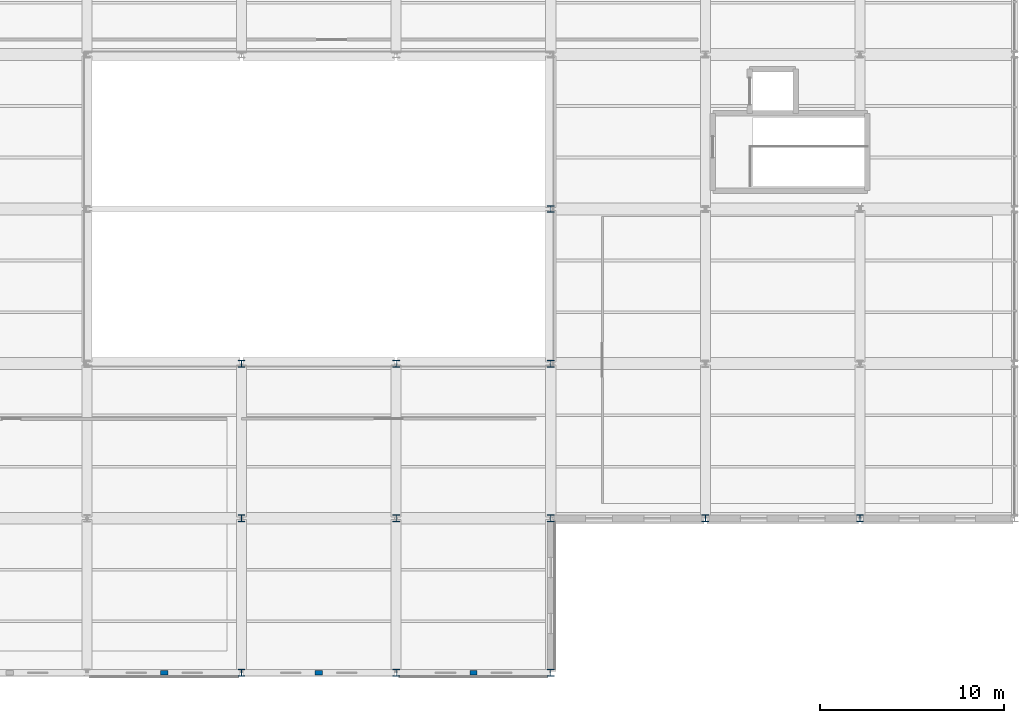
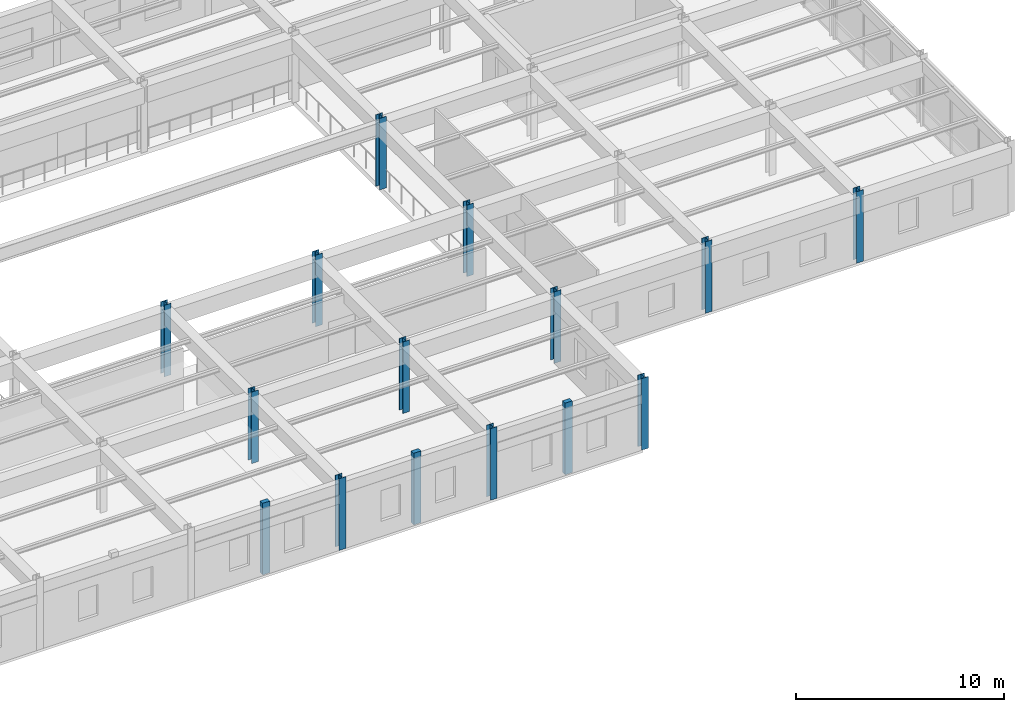
# One storey, part 6 of 138: 15 columns.
"""IFC4 building model written with IfcOpenShell, lengths in metres."""

import ifcopenshell
import ifcopenshell.guid

model = None  # the IFC model being written
_history = None  # IfcOwnerHistory: only IFC2X3 demands one
_inside = {}  # id of a spatial element -> (the spatial element, [elements in it])
_under = {}  # id of a project, library or spatial element -> (it, [spatial elements below it])
_declared = {}  # id of a project -> (the project, [libraries it declares])
_typed = {}  # id of a type object -> (the type object, [elements of that type])
_made_of = {}  # id of a material, layer set ... -> (it, [elements and type objects made of it])


def new_model(schema):
    """Start an empty IFC model of exactly this schema.

    Asked for "IFC4X3", IfcOpenShell would pick the latest addendum, in which some entities
    have other attributes; the version numbers below select the first issue.
    IFC2X3 requires an IfcOwnerHistory on every rooted entity: one is made here for all.
    """
    global model, _history
    if schema == "IFC4X3":
        model = ifcopenshell.file(schema_version=(4, 3, 0, 0))
    else:
        model = ifcopenshell.file(schema=schema)
    _inside.clear()
    _under.clear()
    _declared.clear()
    _typed.clear()
    _made_of.clear()
    _history = None
    if model.schema == "IFC2X3":
        org = make("IfcOrganization", Name="unknown")
        user = make(
            "IfcPersonAndOrganization",
            ThePerson=make("IfcPerson", FamilyName="unknown"),
            TheOrganization=org,
        )
        app = make(
            "IfcApplication",
            ApplicationDeveloper=org,
            Version="unknown",
            ApplicationFullName="unknown",
            ApplicationIdentifier="unknown",
        )
        _history = make(
            "IfcOwnerHistory",
            OwningUser=user,
            OwningApplication=app,
            ChangeAction="ADDED",
            CreationDate=0,
        )
    return model


def make(cls, **values):
    """One entity of the class cls with the attributes given. An attribute that is None is left unset."""
    return model.create_entity(
        cls, **{name: value for name, value in values.items() if value is not None}
    )


def rooted(cls, **values):
    """An entity with a GlobalId (a new one), such as an element, a storey or a relation."""
    return make(cls, GlobalId=ifcopenshell.guid.new(), OwnerHistory=_history, **values)


def si_unit(unit_type, name, prefix=None):
    """IfcSIUnit, for example si_unit("LENGTHUNIT", "METRE", prefix="MILLI")."""
    return make("IfcSIUnit", UnitType=unit_type, Prefix=prefix, Name=name)


def assignment(units):
    """IfcUnitAssignment: the units of a project."""
    return None if units is None else make("IfcUnitAssignment", Units=units)


def point(xyz):
    """IfcCartesianPoint."""
    return None if xyz is None else make("IfcCartesianPoint", Coordinates=xyz)


def direction(xyz):
    """IfcDirection."""
    return None if xyz is None else make("IfcDirection", DirectionRatios=xyz)


def frame(location, z_axis=None, x_axis=None):
    """IfcAxis2Placement3D, a coordinate frame: its origin and axes. An axis left out is left unset."""
    return make(
        "IfcAxis2Placement3D",
        Location=point(location),
        Axis=direction(z_axis),
        RefDirection=direction(x_axis),
    )


def frame_2d(location, x_axis=None):
    """IfcAxis2Placement2D, a coordinate frame in the plane: its origin and x axis."""
    return make(
        "IfcAxis2Placement2D", Location=point(location), RefDirection=direction(x_axis)
    )


def origin():
    """The frame at (0, 0, 0) with its axes left unset."""
    return frame((0.0, 0.0, 0.0))


def origin_2d():
    """The frame at (0, 0) in the plane with its x axis left unset."""
    return frame_2d((0.0, 0.0))


def place(relative_to, where):
    """IfcLocalPlacement: puts the frame where relative to a parent placement (None: the world)."""
    return make(
        "IfcLocalPlacement", PlacementRelTo=relative_to, RelativePlacement=where
    )


def context(
    kind, dimensions, precision=None, world=None, true_north=None, identifier=None
):
    """IfcGeometricRepresentationContext, for example the 3D "Model" context."""
    return make(
        "IfcGeometricRepresentationContext",
        ContextIdentifier=identifier,
        ContextType=kind,
        CoordinateSpaceDimension=dimensions,
        Precision=precision,
        WorldCoordinateSystem=world,
        TrueNorth=true_north,
    )


def subcontext(parent, identifier, kind, view, scale=None):
    """IfcGeometricRepresentationSubContext, for example "Body" below "Model"."""
    return make(
        "IfcGeometricRepresentationSubContext",
        ContextIdentifier=identifier,
        ContextType=kind,
        ParentContext=parent,
        TargetScale=scale,
        TargetView=view,
    )


def project(units=None, contexts=None):
    """IfcProject with its units and contexts."""
    return rooted(
        "IfcProject",
        Name="project",
        RepresentationContexts=contexts,
        UnitsInContext=assignment(units),
    )


def spatial(cls, under=None, at=None, **own):
    """A site, building, storey or space (cls), placed at a placement, below another one or the project."""
    s = rooted(cls, ObjectPlacement=at, **own)
    if under is not None:
        _under.setdefault(under.id(), (under, []))[1].append(s)
    return s


def profile(cls, at=None, kind="AREA", **sizes):
    """A parametric profile (cls). Its sizes go by their IFC names, for example OverallWidth=200.0."""
    return make(cls, ProfileType=kind, Position=at, **sizes)


def rectangle(**sizes):
    """IfcRectangleProfileDef."""
    return profile("IfcRectangleProfileDef", **sizes)


def i_section(**sizes):
    """IfcIShapeProfileDef."""
    return profile("IfcIShapeProfileDef", **sizes)


def extrude(swept, where, along, depth):
    """IfcExtrudedAreaSolid: the profile swept, set in the frame where, extruded along a direction by depth."""
    return make(
        "IfcExtrudedAreaSolid",
        SweptArea=swept,
        Position=where,
        ExtrudedDirection=direction(along),
        Depth=depth,
    )


def shape(context_of_items, identifier, shape_type, items):
    """IfcShapeRepresentation: the items that make up one representation, for example the "Body"."""
    return make(
        "IfcShapeRepresentation",
        ContextOfItems=context_of_items,
        RepresentationIdentifier=identifier,
        RepresentationType=shape_type,
        Items=items,
    )


def material(Name=None, Category=None):
    """IfcMaterial."""
    return make("IfcMaterial", Name=Name, Category=Category)


def material_profile(
    of_material, cross_section, Name=None, Category=None, Priority=None
):
    """IfcMaterialProfile: a cross section and its material."""
    return make(
        "IfcMaterialProfile",
        Name=Name,
        Material=of_material,
        Profile=cross_section,
        Priority=Priority,
        Category=Category,
    )


def profile_set(profiles, Name=None, composite=None):
    """IfcMaterialProfileSet."""
    return make(
        "IfcMaterialProfileSet",
        Name=Name,
        MaterialProfiles=profiles,
        CompositeProfile=composite,
    )


def made_of(thing, what):
    """Note that an element or type object is made of a material, layer set ...; save() writes the relation."""
    if what is not None:
        _made_of.setdefault(what.id(), (what, []))[1].append(thing)
    return thing


def type_object(cls, material=None, **own):
    """A type object (cls), such as IfcWallType, which elements share."""
    return made_of(rooted(cls, **own), material)


def element(
    cls,
    number,
    at=None,
    inside=None,
    cuts=None,
    type_object=None,
    material=None,
    context=None,
    identifier="Body",
    shape_type=None,
    held_by="IfcProductDefinitionShape",
    body=None,
    shapes=None,
    **own,
):
    """One element of the class cls, such as IfcWall. Its Tag is "e" and its number.

    at: its placement. inside: the storey or other place that contains it. cuts: it is an
    opening in that element (IfcRelVoidsElement). A single representation is given by context,
    identifier, shape_type and body (its items); several are given by shapes. held_by: the class
    of the entity that holds the representations. save() writes the other relations.
    """
    e = rooted(cls, Tag="e%d" % number, ObjectPlacement=at, **own)
    if body is not None:
        shapes = [shape(context, identifier, shape_type, body)]
    if shapes is not None:
        e.Representation = make(held_by, Representations=shapes)
    if inside is not None:
        _inside.setdefault(inside.id(), (inside, []))[1].append(e)
    if cuts is not None:
        rooted(
            "IfcRelVoidsElement", RelatingBuildingElement=cuts, RelatedOpeningElement=e
        )
    if type_object is not None:
        _typed.setdefault(type_object.id(), (type_object, []))[1].append(e)
    return made_of(e, material)


def aggregate(whole, parts):
    """IfcRelAggregates: a whole, such as a stair, and the parts it consists of."""
    return rooted("IfcRelAggregates", RelatingObject=whole, RelatedObjects=parts)


def save(model, path):
    """Write the relations noted so far, then the file.

    IfcRelAggregates (storeys below a building ...), IfcRelContainedInSpatialStructure (elements
    in a storey), IfcRelDefinesByType, IfcRelAssociatesMaterial and IfcRelDeclares: one each for
    every whole, place, type object, material and project.
    """
    for whole, parts in _under.values():
        aggregate(whole, parts)
    for where, things in _inside.values():
        rooted(
            "IfcRelContainedInSpatialStructure",
            RelatedElements=things,
            RelatingStructure=where,
        )
    for kind, things in _typed.values():
        rooted("IfcRelDefinesByType", RelatedObjects=things, RelatingType=kind)
    for what, things in _made_of.values():
        rooted("IfcRelAssociatesMaterial", RelatedObjects=things, RelatingMaterial=what)
    for by, libraries in _declared.values():
        rooted("IfcRelDeclares", RelatingContext=by, RelatedDefinitions=libraries)
    model.write(path)


model = new_model("IFC4")

# Units and contexts
model_context = context("Model", 3, precision=1e-05, world=origin(), true_north=direction((0.0, 1.0)))
body_context = subcontext(model_context, "Body", "Model", "MODEL_VIEW")
ifc_project = project(units=[si_unit("LENGTHUNIT", "METRE"), si_unit("AREAUNIT", "SQUARE_METRE"), si_unit("VOLUMEUNIT", "CUBIC_METRE"), si_unit("PLANEANGLEUNIT", "RADIAN"), si_unit("MASSUNIT", "GRAM", prefix="KILO"), si_unit("THERMODYNAMICTEMPERATUREUNIT", "KELVIN"), si_unit("POWERUNIT", "WATT")], contexts=[model_context])

# Site, building, storey
site_placement = place(None, origin())
site = spatial("IfcSite", under=ifc_project, at=site_placement, CompositionType="ELEMENT")
building_placement = place(site_placement, origin())
building = spatial("IfcBuilding", under=site, at=building_placement, Name="Darbajah Civic Hall", CompositionType="ELEMENT")
storey_placement = place(building_placement, frame((0.0, 0.0, 9.60009765625)))
storey = spatial("IfcBuildingStorey", under=building, at=storey_placement, Name="L02", CompositionType="ELEMENT", Elevation=9.60009765625)

# Columns
ifc_material_1 = material(Name="Concrete C45/55", Category="concrete")
ifc_material_profile_1 = material_profile(ifc_material_1, rectangle(XDim=0.39990234375, YDim=0.25, at=origin_2d()), Name="PILASTER 400x250")
ifc_profile_set_1 = profile_set([ifc_material_profile_1], Name="Concrete C45/55")
column_type_1 = type_object("IfcColumnType", Name="PILASTER 400x250", PredefinedType="PILASTER", material=ifc_profile_set_1)
for number, where, z_axis, x_axis, name in (
    (1, (132.0, 0.0, 0.0), (0.0, 0.0, 1.0), (1.0, 0.0, 0.0), "L02 column PL-400"),
    (2, (140.39990234375, 0.0, 0.0), (0.0, 0.0, 1.0), (1.0, 0.0, 0.0), "L02 column PL-400"),
    (3, (148.800048828125, 0.0, 0.0), (0.0, 0.0, 1.0), (1.0, 0.0, 0.0), "L02 column PL-400"),
):
    element("IfcColumn", number, at=place(storey_placement, frame(where, z_axis=z_axis, x_axis=x_axis)), inside=storey, type_object=column_type_1, Name=name, PredefinedType="PILASTER", context=body_context, shape_type="SweptSolid", body=[
        extrude(rectangle(XDim=0.39990234375, YDim=0.25, at=origin_2d()), origin(), (0.0, 0.0, 1.0), 4.199951171875),
    ])
ifc_material_2 = material(Name="Steel S355JR", Category="steel")
ifc_material_profile_2 = material_profile(ifc_material_2, i_section(OverallWidth=0.37255859375, OverallDepth=0.3681640625, WebThickness=0.014404296875, FlangeThickness=0.023681640625, FilletRadius=0.01513671875, at=origin_2d()), Name="UC 356x368x177")
ifc_profile_set_2 = profile_set([ifc_material_profile_2], Name="Steel S355JR")
column_type_2 = type_object("IfcColumnType", Name="UC 356x368x177", PredefinedType="COLUMN", material=ifc_profile_set_2)
for number, where, z_axis, x_axis, name in (
    (4, (136.199951171875, 0.0, 0.0), (0.0, 0.0, 1.0), (1.0, 0.0, 0.0), "L02 column C-UC356"),
    (5, (136.199951171875, 8.39990234375, 0.0), (0.0, 0.0, 1.0), (1.0, 0.0, 0.0), "L02 column C-UC356"),
    (6, (136.199951171875, 16.800048828125, 0.0), (0.0, 0.0, 1.0), (1.0, 0.0, 0.0), "L02 column C-UC356"),
    (7, (144.60009765625, 0.0, 0.0), (0.0, 0.0, 1.0), (1.0, 0.0, 0.0), "L02 column C-UC356"),
    (8, (144.60009765625, 8.39990234375, 0.0), (0.0, 0.0, 1.0), (1.0, 0.0, 0.0), "L02 column C-UC356"),
    (9, (144.60009765625, 16.800048828125, 0.0), (0.0, 0.0, 1.0), (1.0, 0.0, 0.0), "L02 column C-UC356"),
    (10, (153.0, 0.0, 0.0), (0.0, 0.0, 1.0), (1.0, 0.0, 0.0), "L02 column C-UC356"),
    (11, (153.0, 8.39990234375, 0.0), (0.0, 0.0, 1.0), (1.0, 0.0, 0.0), "L02 column C-UC356"),
    (12, (153.0, 16.800048828125, 0.0), (0.0, 0.0, 1.0), (1.0, 0.0, 0.0), "L02 column C-UC356"),
    (13, (153.0, 25.199951171875, 0.0), (0.0, 0.0, 1.0), (1.0, 0.0, 0.0), "L02 column C-UC356"),
    (14, (161.39990234375, 8.39990234375, 0.0), (0.0, 0.0, 1.0), (1.0, 0.0, 0.0), "L02 column C-UC356"),
    (15, (169.800048828125, 8.39990234375, 0.0), (0.0, 0.0, 1.0), (1.0, 0.0, 0.0), "L02 column C-UC356"),
):
    element("IfcColumn", number, at=place(storey_placement, frame(where, z_axis=z_axis, x_axis=x_axis)), inside=storey, type_object=column_type_2, Name=name, PredefinedType="COLUMN", context=body_context, shape_type="SweptSolid", body=[
        extrude(i_section(OverallWidth=0.37255859375, OverallDepth=0.3681640625, WebThickness=0.014404296875, FlangeThickness=0.023681640625, FilletRadius=0.01513671875, at=origin_2d()), origin(), (0.0, 0.0, 1.0), 4.199951171875),
    ])

save(model, "model.ifc")
